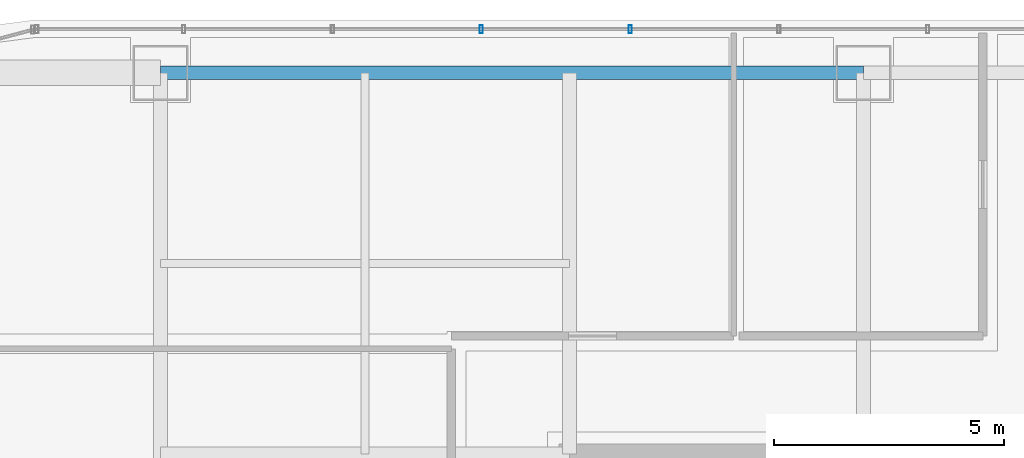
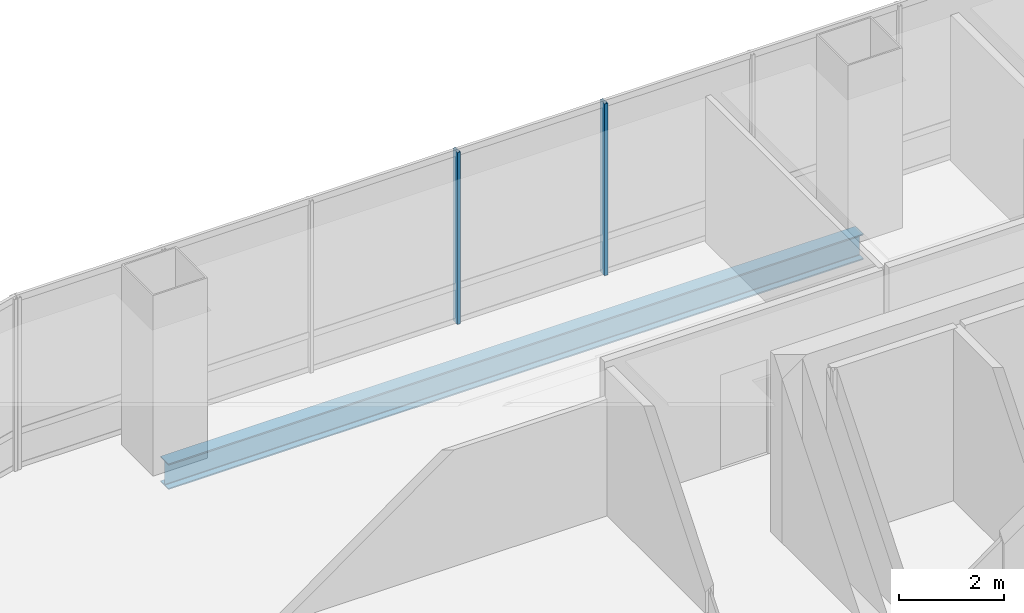
# One storey, part 26 of 43: 2 members, 1 beam, 1 element without a shape of its own.
"""IFC4 building model written with IfcOpenShell, lengths in metres."""

from ifc_helpers import new_model, si_unit, direction, frame, origin, origin_2d, place, context, subcontext, project, spatial, hollow_rectangle, i_section, extrude, material, material_profile, profile_set, type_object, element, aggregate, save


model = new_model("IFC4")

# Units and contexts
model_context = context("Model", 3, precision=1e-05, world=origin(), true_north=direction((0.0, 1.0)))
body_context = subcontext(model_context, "Body", "Model", "MODEL_VIEW")
ifc_project = project(units=[si_unit("LENGTHUNIT", "METRE"), si_unit("AREAUNIT", "SQUARE_METRE"), si_unit("VOLUMEUNIT", "CUBIC_METRE"), si_unit("PLANEANGLEUNIT", "RADIAN"), si_unit("MASSUNIT", "GRAM", prefix="KILO")], contexts=[model_context])

# Site, building, storey
site_placement = place(None, origin())
site = spatial("IfcSite", under=ifc_project, at=site_placement, CompositionType="ELEMENT")
building_placement = place(site_placement, origin())
building = spatial("IfcBuilding", under=site, at=building_placement, Name="Punatoya Terracotta Tower", CompositionType="ELEMENT")
storey_placement = place(building_placement, frame((0.0, 0.0, 321.60009765625)))
storey = spatial("IfcBuildingStorey", under=building, at=storey_placement, Name="L76", CompositionType="ELEMENT", Elevation=321.60009765625)

# Beam
ifc_material_1 = material(Name="Steel S355", Category="steel")
ifc_material_profile_1 = material_profile(ifc_material_1, i_section(OverallWidth=0.300048828125, OverallDepth=0.60009765625, WebThickness=0.015380859375, FlangeThickness=0.030029296875, FilletRadius=0.01806640625, at=origin_2d()))
ifc_profile_set_1 = profile_set([ifc_material_profile_1], Name="Steel S355")
beam_type = type_object("IfcBeamType", Name="BM-PRI-600", PredefinedType="BEAM", material=ifc_profile_set_1)
beam_placement = place(storey_placement, frame((-19.10009765625, 17.5, -0.5), z_axis=(1.0, 0.0, 0.0), x_axis=(0.0, 1.0, 0.0)))
element("IfcBeam", 1, at=beam_placement, inside=storey, type_object=beam_type, Name="BM-L76-RG-N1", PredefinedType="BEAM", context=body_context, shape_type="SweptSolid", body=[
    extrude(i_section(OverallWidth=0.300048828125, OverallDepth=0.60009765625, WebThickness=0.015380859375, FlangeThickness=0.030029296875, FilletRadius=0.01806640625, at=origin_2d()), origin(), (0.0, 0.0, 1.0), 15.300048828125),
])

# Curtain wall, members
ifc_material_2 = material(Name="Aluminium 6063-T6 + Double Low-E Glass", Category="aluminium")
curtain_wall_type = type_object("IfcCurtainWallType", Name="CW-OBS", PredefinedType="NOTDEFINED", material=ifc_material_2)
curtain_wall_placement = place(storey_placement, origin())
curtain_wall = element("IfcCurtainWall", 2, at=curtain_wall_placement, inside=storey, type_object=curtain_wall_type, Name="L76 Curtain Wall CW-L76-N09-1", PredefinedType="NOTDEFINED")
ifc_material_3 = material(Name="Aluminium 6063-T6", Category="aluminium")
ifc_material_profile_2 = material_profile(ifc_material_3, hollow_rectangle(XDim=0.070068359375, YDim=0.179931640625, WallThickness=0.00390625, at=origin_2d()))
ifc_profile_set_2 = profile_set([ifc_material_profile_2], Name="Aluminium 6063-T6")
member_type = type_object("IfcMemberType", Name="CW-MUL-M3", PredefinedType="MULLION", material=ifc_profile_set_2)
member_1_placement = place(storey_placement, frame((-8.87890625, 18.449951171875, 0.0), z_axis=(0.0, 0.0, 1.0), x_axis=(1.0, 0.0, 0.0)))
member_1 = element("IfcMember", 3, at=member_1_placement, type_object=member_type, Name="CW-L76-N09-1 Mullion 08", PredefinedType="MULLION", context=body_context, shape_type="SweptSolid", body=[
    extrude(hollow_rectangle(XDim=0.070068359375, YDim=0.179931640625, WallThickness=0.00390625, at=origin_2d()), origin(), (0.0, 0.0, 1.0), 4.0),
])
member_2_placement = place(storey_placement, frame((-12.118408203125, 18.449951171875, 0.0), z_axis=(0.0, 0.0, 1.0), x_axis=(1.0, 0.0, 0.0)))
member_2 = element("IfcMember", 4, at=member_2_placement, type_object=member_type, Name="CW-L76-N09-1 Mullion 09", PredefinedType="MULLION", context=body_context, shape_type="SweptSolid", body=[
    extrude(hollow_rectangle(XDim=0.070068359375, YDim=0.179931640625, WallThickness=0.00390625, at=origin_2d()), origin(), (0.0, 0.0, 1.0), 4.0),
])
aggregate(curtain_wall, [member_1, member_2])

save(model, "model.ifc")
